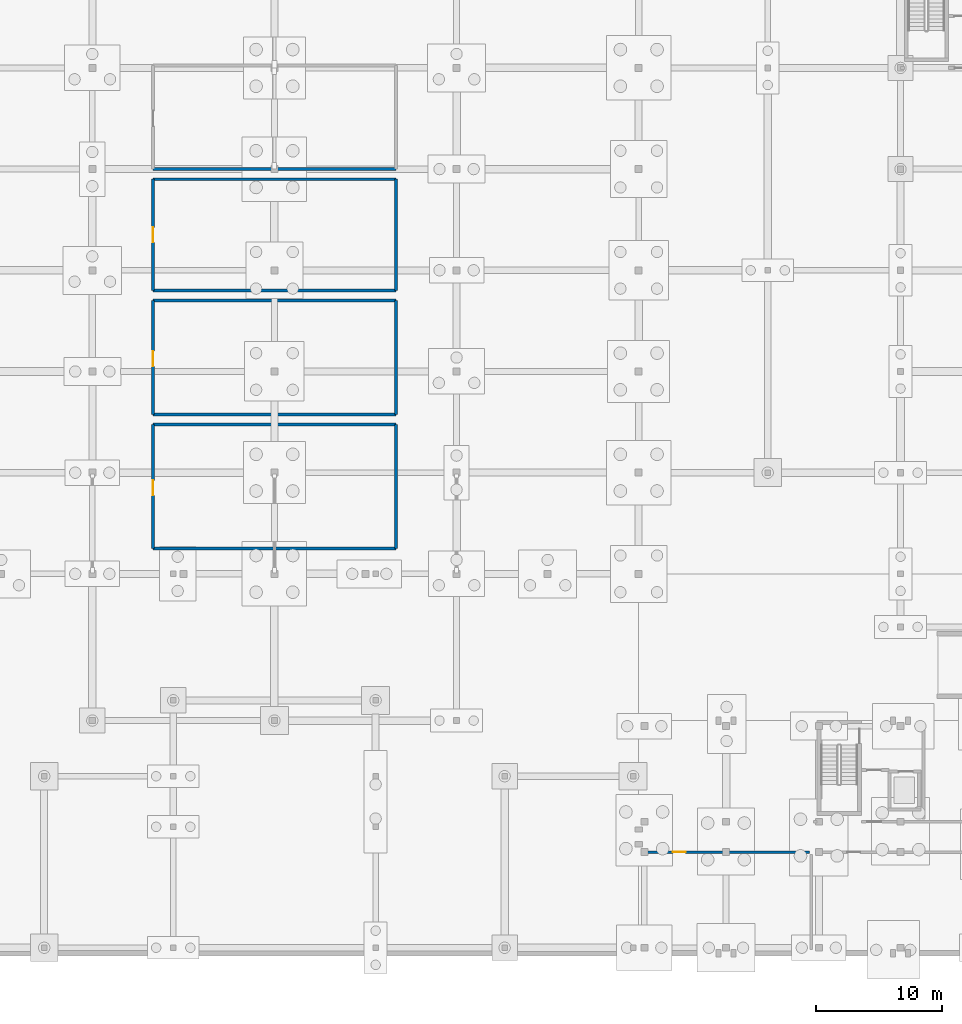
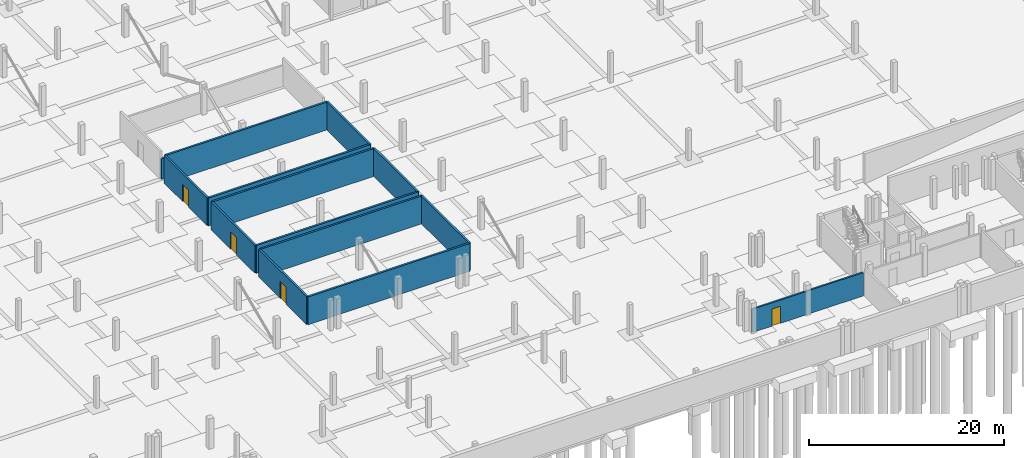
# One storey, part 20 of 38: 14 walls, 4 doors, 4 openings.
"""IFC4 building model written with IfcOpenShell, lengths in metres."""

from ifc_helpers import new_model, si_unit, direction, frame, frame_2d, origin, origin_with_axes, place, context, subcontext, project, spatial, rectangle, extrude, material, layer, layer_set, type_object, element, fill, save


model = new_model("IFC4")

# Units and contexts
model_context = context("Model", 3, precision=1e-05, world=origin(), true_north=direction((0.0, 1.0)))
body_context = subcontext(model_context, "Body", "Model", "MODEL_VIEW")
ifc_project = project(units=[si_unit("LENGTHUNIT", "METRE"), si_unit("AREAUNIT", "SQUARE_METRE"), si_unit("VOLUMEUNIT", "CUBIC_METRE"), si_unit("PLANEANGLEUNIT", "RADIAN"), si_unit("MASSUNIT", "GRAM", prefix="KILO")], contexts=[model_context])

# Site, building, storey
site_placement = place(None, origin())
site = spatial("IfcSite", under=ifc_project, at=site_placement, CompositionType="ELEMENT")
building_placement = place(site_placement, origin())
building = spatial("IfcBuilding", under=site, at=building_placement, Name="Zavelmont Quarter", CompositionType="ELEMENT")
storey_placement = place(building_placement, frame((0.0, 0.0, -3.800048828125)))
storey = spatial("IfcBuildingStorey", under=building, at=storey_placement, Name="B01", CompositionType="ELEMENT", Elevation=-3.800048828125)

# Wall, opening, door
ifc_material_1 = material(Name="Calcium-silicate blockwork and acoustic plaster", Category="masonry")
ifc_layer_1 = layer(ifc_material_1, 0.199951171875)
ifc_layer_set_1 = layer_set([ifc_layer_1], Name="Calcium-silicate blockwork and acoustic plaster")
wall_type_1 = type_object("IfcWallType", Name="IW01", PredefinedType="PARTITIONING", material=ifc_layer_set_1)
wall_1_placement = place(storey_placement, frame((113.10009765625, 8.0, 0.0), z_axis=(0.0, 0.0, 1.0), x_axis=(1.0, 0.0, 0.0)))
wall_1 = element("IfcWall", 1, at=wall_1_placement, inside=storey, type_object=wall_type_1, Name="B01 Basement storage wall IW01", PredefinedType="PARTITIONING", context=body_context, shape_type="SweptSolid", body=[
    extrude(rectangle(XDim=13.199951171875, YDim=0.199951171875, at=frame_2d((6.60009765625, 0.0))), origin(), (0.0, 0.0, 1.0), 2.920166015625),
])
opening_1_placement = place(wall_1_placement, frame((2.39990234375, 0.0, 0.0)))
opening_1 = element("IfcOpeningElement", 2, at=opening_1_placement, cuts=wall_1, Name="Opening DR07", PredefinedType="OPENING", context=body_context, shape_type="SweptSolid", body=[
    extrude(rectangle(XDim=1.0, YDim=2.14990234375, at=frame_2d((0.5, 1.074951171875))), frame((0.0, 0.11181640625, 0.0), z_axis=(0.0, -1.0, 0.0), x_axis=(1.0, 0.0, 0.0)), (0.0, 0.0, 1.0), 0.223876953125),
])
ifc_material_2 = material(Name="Solid-core oak fire leaf in steel frame", Category="steel")
door_type_1 = type_object("IfcDoorType", Name="DR07", OperationType="NOTDEFINED", PredefinedType="DOOR", material=ifc_material_2)
door_1_placement = place(opening_1_placement, frame((1.0, 0.0, 0.0), z_axis=(0.0, 0.0, 1.0), x_axis=(-1.0, 0.0, 0.0)))
door_1 = element("IfcDoor", 3, at=door_1_placement, inside=storey, type_object=door_type_1, Name="B01 door DR07", OperationType="SINGLE_SWING_RIGHT", OverallHeight=2.14990234375, OverallWidth=1.0, PredefinedType="DOOR", context=body_context, shape_type="SweptSolid", body=[
    extrude(rectangle(XDim=1.0, YDim=2.14990234375, at=frame_2d((0.5, 1.074951171875))), frame((0.0, 0.02490234375, 0.0), z_axis=(0.0, -1.0, 0.0), x_axis=(1.0, 0.0, 0.0)), (0.0, 0.0, 1.0), 0.050048828125),
])
fill(opening_1, door_1)

# Walls
ifc_material_3 = material(Name="Reinforced masonry fire compartment wall", Category="masonry")
ifc_layer_2 = layer(ifc_material_3, 0.22509765625)
ifc_layer_set_2 = layer_set([ifc_layer_2], Name="Reinforced masonry fire compartment wall")
wall_type_2 = type_object("IfcWallType", Name="IW02", PredefinedType="PARTITIONING", material=ifc_layer_set_2)
for number, where, z_axis, x_axis, name in (
    (4, (74.39990234375, 32.0, 0.0), (0.0, 0.0, 1.0), (1.0, 0.0, 0.0), "B01 Bicycle and Cargo Bike Hub S wall IW02"),
    (5, (74.39990234375, 41.800048828125, 0.0), (0.0, 0.0, 1.0), (1.0, 0.0, 0.0), "B01 Bicycle and Cargo Bike Hub N wall IW02"),
):
    element("IfcWall", number, at=place(storey_placement, frame(where, z_axis=z_axis, x_axis=x_axis)), inside=storey, type_object=wall_type_2, Name=name, PredefinedType="PARTITIONING", context=body_context, shape_type="SweptSolid", body=[
        extrude(rectangle(XDim=19.2001953125, YDim=0.22509765625, at=frame_2d((9.60009765625, 0.0))), origin(), (0.0, 0.0, 1.0), 3.47998046875),
    ])

# Wall, opening, door
wall_2_placement = place(storey_placement, frame((74.39990234375, 32.0, 0.0), z_axis=(0.0, 0.0, 1.0), x_axis=(0.0, 1.0, 0.0)))
wall_2 = element("IfcWall", 6, at=wall_2_placement, inside=storey, type_object=wall_type_2, Name="B01 Bicycle and Cargo Bike Hub W wall IW02", PredefinedType="PARTITIONING", context=body_context, shape_type="SweptSolid", body=[
    extrude(rectangle(XDim=9.800048828125, YDim=0.22509765625, at=frame_2d((4.89990234375, 0.0))), origin(), (0.0, 0.0, 1.0), 3.47998046875),
])
opening_2_placement = place(wall_2_placement, frame((4.199951171875, 0.0, 0.0)))
opening_2 = element("IfcOpeningElement", 7, at=opening_2_placement, cuts=wall_2, Name="Opening DR03", PredefinedType="OPENING", context=body_context, shape_type="SweptSolid", body=[
    extrude(rectangle(XDim=1.199951171875, YDim=2.14990234375, at=frame_2d((0.60009765625, 1.074951171875))), frame((0.0, 0.12451171875, 0.0), z_axis=(0.0, -1.0, 0.0), x_axis=(1.0, 0.0, 0.0)), (0.0, 0.0, 1.0), 0.2490234375),
])
ifc_material_4 = material(Name="Painted steel fire door", Category="steel")
door_type_2 = type_object("IfcDoorType", Name="DR03", OperationType="NOTDEFINED", PredefinedType="DOOR", material=ifc_material_4)
door_2_placement = place(opening_2_placement, frame((1.199951171875, 0.0, 0.0), z_axis=(0.0, 0.0, 1.0), x_axis=(-1.0, 0.0, 0.0)))
door_2 = element("IfcDoor", 8, at=door_2_placement, inside=storey, type_object=door_type_2, Name="B01 door DR03", OperationType="SINGLE_SWING_LEFT", OverallHeight=2.14990234375, OverallWidth=1.199951171875, PredefinedType="DOOR", context=body_context, shape_type="SweptSolid", body=[
    extrude(rectangle(XDim=1.199951171875, YDim=2.14990234375, at=frame_2d((0.60009765625, 1.074951171875))), frame((0.0, 0.02490234375, 0.0), z_axis=(0.0, -1.0, 0.0), x_axis=(1.0, 0.0, 0.0)), (0.0, 0.0, 1.0), 0.050048828125),
])
fill(opening_2, door_2)

# Walls
wall_3_placement = place(storey_placement, frame((93.60009765625, 32.0, 0.0), z_axis=(0.0, 0.0, 1.0), x_axis=(0.0, 1.0, 0.0)))
element("IfcWall", 9, at=wall_3_placement, inside=storey, type_object=wall_type_2, Name="B01 Bicycle and Cargo Bike Hub E wall IW02", PredefinedType="PARTITIONING", context=body_context, shape_type="SweptSolid", body=[
    extrude(rectangle(XDim=9.800048828125, YDim=0.22509765625, at=frame_2d((4.89990234375, 0.0))), origin(), (0.0, 0.0, 1.0), 3.47998046875),
])
for number, where, z_axis, x_axis, name in (
    (10, (74.39990234375, 42.60009765625, 0.0), (0.0, 0.0, 1.0), (1.0, 0.0, 0.0), "B01 District Heating and Heat Pump Plant S wall IW02"),
    (11, (74.39990234375, 51.60009765625, 0.0), (0.0, 0.0, 1.0), (1.0, 0.0, 0.0), "B01 District Heating and Heat Pump Plant N wall IW02"),
):
    element("IfcWall", number, at=place(storey_placement, frame(where, z_axis=z_axis, x_axis=x_axis)), inside=storey, type_object=wall_type_2, Name=name, PredefinedType="PARTITIONING", context=body_context, shape_type="SweptSolid", body=[
        extrude(rectangle(XDim=19.2001953125, YDim=0.22509765625, at=frame_2d((9.60009765625, 0.0))), origin(), (0.0, 0.0, 1.0), 3.47998046875),
    ])

# Wall, opening, door
wall_4_placement = place(storey_placement, frame((74.39990234375, 42.60009765625, 0.0), z_axis=(0.0, 0.0, 1.0), x_axis=(0.0, 1.0, 0.0)))
wall_4 = element("IfcWall", 12, at=wall_4_placement, inside=storey, type_object=wall_type_2, Name="B01 District Heating and Heat Pump Plant W wall IW02", PredefinedType="PARTITIONING", context=body_context, shape_type="SweptSolid", body=[
    extrude(rectangle(XDim=9.0, YDim=0.22509765625, at=frame_2d((4.5, 0.0))), origin(), (0.0, 0.0, 1.0), 3.47998046875),
])
opening_3_placement = place(wall_4_placement, frame((3.800048828125, 0.0, 0.0)))
opening_3 = element("IfcOpeningElement", 13, at=opening_3_placement, cuts=wall_4, Name="Opening DR03", PredefinedType="OPENING", context=body_context, shape_type="SweptSolid", body=[
    extrude(rectangle(XDim=1.199951171875, YDim=2.14990234375, at=frame_2d((0.60009765625, 1.074951171875))), frame((0.0, 0.12451171875, 0.0), z_axis=(0.0, -1.0, 0.0), x_axis=(1.0, 0.0, 0.0)), (0.0, 0.0, 1.0), 0.2490234375),
])
door_3_placement = place(opening_3_placement, origin_with_axes())
door_3 = element("IfcDoor", 14, at=door_3_placement, inside=storey, type_object=door_type_2, Name="B01 door DR03", OperationType="SINGLE_SWING_LEFT", OverallHeight=2.14990234375, OverallWidth=1.199951171875, PredefinedType="DOOR", context=body_context, shape_type="SweptSolid", body=[
    extrude(rectangle(XDim=1.199951171875, YDim=2.14990234375, at=frame_2d((0.60009765625, 1.074951171875))), frame((0.0, 0.02490234375, 0.0), z_axis=(0.0, -1.0, 0.0), x_axis=(1.0, 0.0, 0.0)), (0.0, 0.0, 1.0), 0.050048828125),
])
fill(opening_3, door_3)

# Walls
wall_5_placement = place(storey_placement, frame((93.60009765625, 42.60009765625, 0.0), z_axis=(0.0, 0.0, 1.0), x_axis=(0.0, 1.0, 0.0)))
element("IfcWall", 15, at=wall_5_placement, inside=storey, type_object=wall_type_2, Name="B01 District Heating and Heat Pump Plant E wall IW02", PredefinedType="PARTITIONING", context=body_context, shape_type="SweptSolid", body=[
    extrude(rectangle(XDim=9.0, YDim=0.22509765625, at=frame_2d((4.5, 0.0))), origin(), (0.0, 0.0, 1.0), 3.47998046875),
])
for number, where, z_axis, x_axis, name in (
    (16, (74.39990234375, 52.39990234375, 0.0), (0.0, 0.0, 1.0), (1.0, 0.0, 0.0), "B01 Sprinkler and Booster Pump Room S wall IW02"),
    (17, (74.39990234375, 61.199951171875, 0.0), (0.0, 0.0, 1.0), (1.0, 0.0, 0.0), "B01 Sprinkler and Booster Pump Room N wall IW02"),
):
    element("IfcWall", number, at=place(storey_placement, frame(where, z_axis=z_axis, x_axis=x_axis)), inside=storey, type_object=wall_type_2, Name=name, PredefinedType="PARTITIONING", context=body_context, shape_type="SweptSolid", body=[
        extrude(rectangle(XDim=19.2001953125, YDim=0.22509765625, at=frame_2d((9.60009765625, 0.0))), origin(), (0.0, 0.0, 1.0), 3.47998046875),
    ])

# Wall, opening, door
wall_6_placement = place(storey_placement, frame((74.39990234375, 52.39990234375, 0.0), z_axis=(0.0, 0.0, 1.0), x_axis=(0.0, 1.0, 0.0)))
wall_6 = element("IfcWall", 18, at=wall_6_placement, inside=storey, type_object=wall_type_2, Name="B01 Sprinkler and Booster Pump Room W wall IW02", PredefinedType="PARTITIONING", context=body_context, shape_type="SweptSolid", body=[
    extrude(rectangle(XDim=8.800048828125, YDim=0.22509765625, at=frame_2d((4.39990234375, 0.0))), origin(), (0.0, 0.0, 1.0), 3.47998046875),
])
opening_4_placement = place(wall_6_placement, frame((3.800048828125, 0.0, 0.0)))
opening_4 = element("IfcOpeningElement", 19, at=opening_4_placement, cuts=wall_6, Name="Opening DR03", PredefinedType="OPENING", context=body_context, shape_type="SweptSolid", body=[
    extrude(rectangle(XDim=1.199951171875, YDim=2.14990234375, at=frame_2d((0.60009765625, 1.074951171875))), frame((0.0, 0.12451171875, 0.0), z_axis=(0.0, -1.0, 0.0), x_axis=(1.0, 0.0, 0.0)), (0.0, 0.0, 1.0), 0.2490234375),
])
door_4_placement = place(opening_4_placement, frame((1.199951171875, 0.0, 0.0), z_axis=(0.0, 0.0, 1.0), x_axis=(-1.0, 0.0, 0.0)))
door_4 = element("IfcDoor", 20, at=door_4_placement, inside=storey, type_object=door_type_2, Name="B01 door DR03", OperationType="SINGLE_SWING_LEFT", OverallHeight=2.14990234375, OverallWidth=1.199951171875, PredefinedType="DOOR", context=body_context, shape_type="SweptSolid", body=[
    extrude(rectangle(XDim=1.199951171875, YDim=2.14990234375, at=frame_2d((0.60009765625, 1.074951171875))), frame((0.0, 0.02490234375, 0.0), z_axis=(0.0, -1.0, 0.0), x_axis=(1.0, 0.0, 0.0)), (0.0, 0.0, 1.0), 0.050048828125),
])
fill(opening_4, door_4)

# Walls
wall_7_placement = place(storey_placement, frame((93.60009765625, 52.39990234375, 0.0), z_axis=(0.0, 0.0, 1.0), x_axis=(0.0, 1.0, 0.0)))
element("IfcWall", 21, at=wall_7_placement, inside=storey, type_object=wall_type_2, Name="B01 Sprinkler and Booster Pump Room E wall IW02", PredefinedType="PARTITIONING", context=body_context, shape_type="SweptSolid", body=[
    extrude(rectangle(XDim=8.800048828125, YDim=0.22509765625, at=frame_2d((4.39990234375, 0.0))), origin(), (0.0, 0.0, 1.0), 3.47998046875),
])
wall_8_placement = place(storey_placement, frame((74.39990234375, 62.0, 0.0), z_axis=(0.0, 0.0, 1.0), x_axis=(1.0, 0.0, 0.0)))
element("IfcWall", 22, at=wall_8_placement, inside=storey, type_object=wall_type_2, Name="B01 Main Electrical Switchroom S wall IW02", PredefinedType="PARTITIONING", context=body_context, shape_type="SweptSolid", body=[
    extrude(rectangle(XDim=19.2001953125, YDim=0.22509765625, at=frame_2d((9.60009765625, 0.0))), origin(), (0.0, 0.0, 1.0), 2.570068359375),
])

save(model, "model.ifc")
